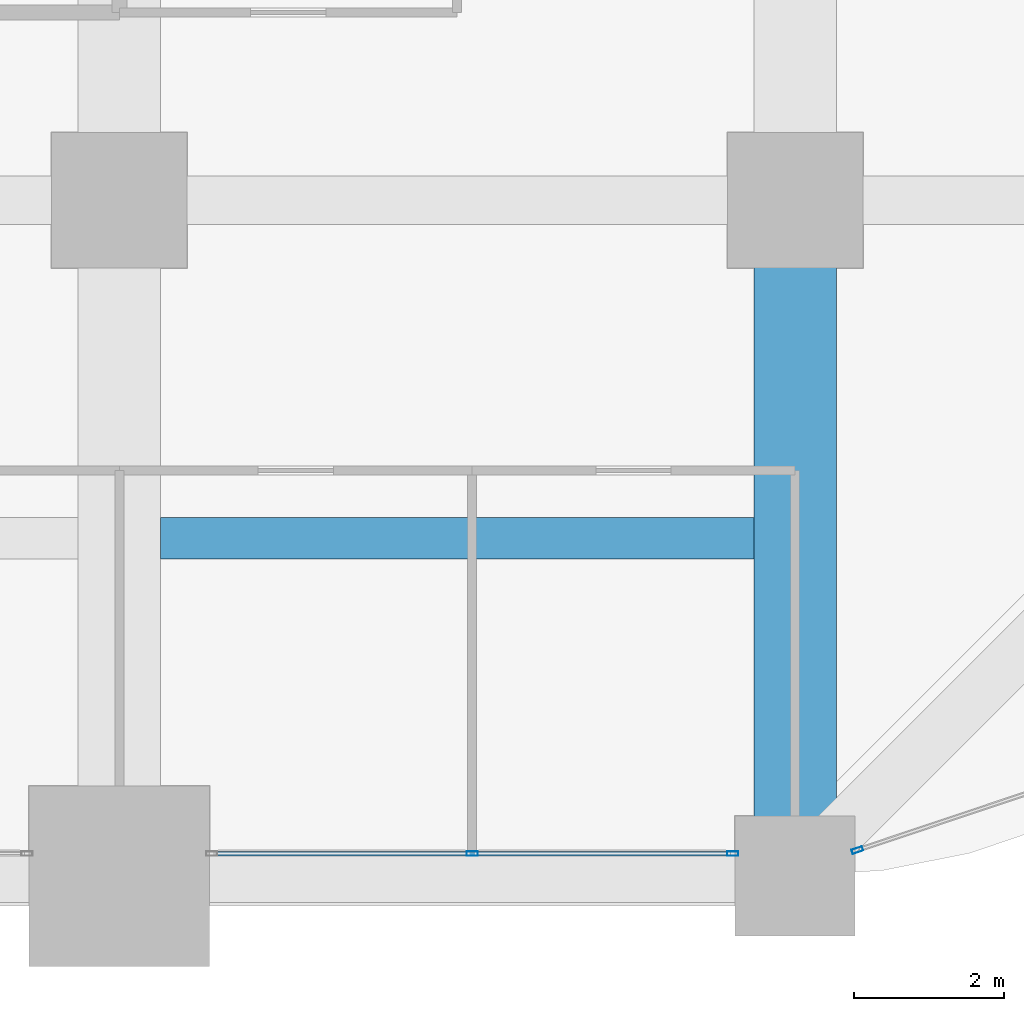
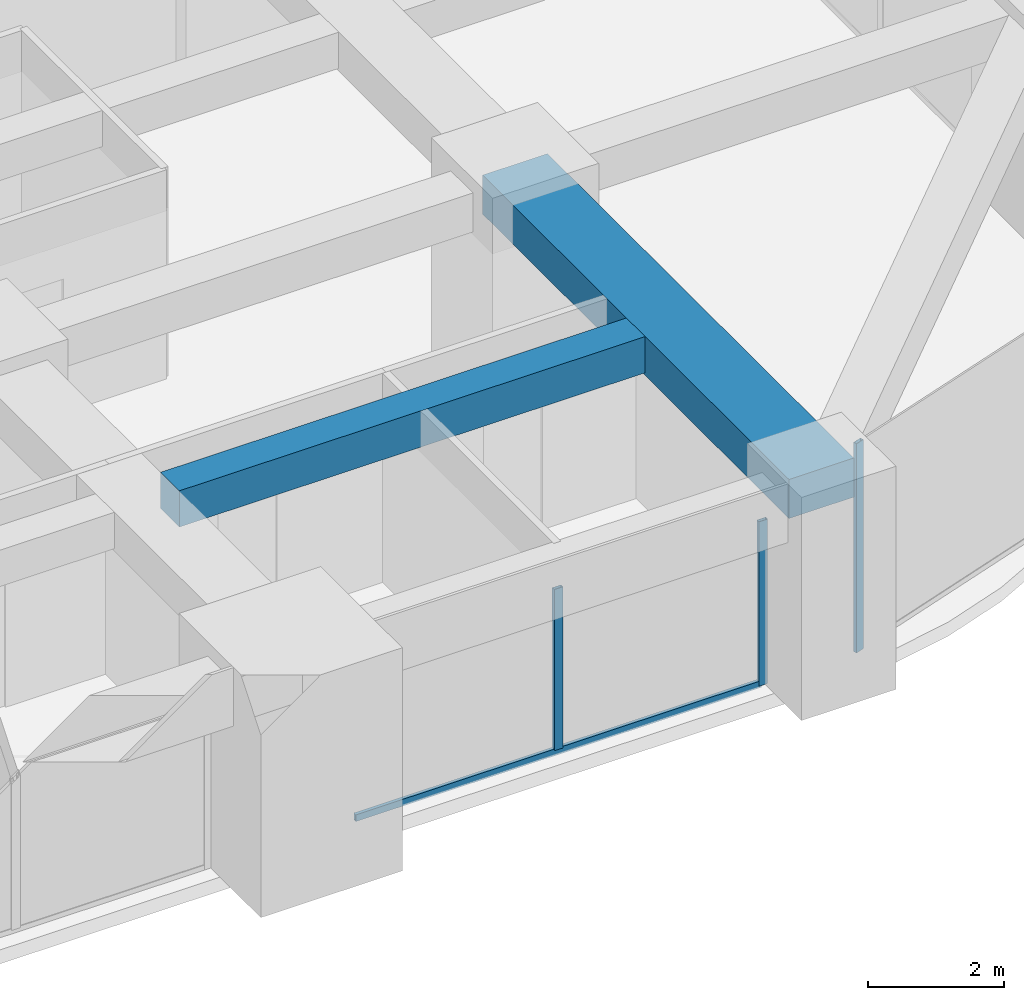
# One storey, part 16 of 40: 4 members, 2 beams, 2 elements without a shape of their own.
"""IFC4 building model written with IfcOpenShell, lengths in metres."""

from ifc_helpers import new_model, si_unit, direction, frame, origin, origin_2d, place, context, subcontext, project, spatial, rectangle, hollow_rectangle, extrude, material, material_profile, profile_set, type_object, element, aggregate, save


model = new_model("IFC4")

# Units and contexts
model_context = context("Model", 3, precision=1e-05, world=origin(), true_north=direction((0.0, 1.0)))
body_context = subcontext(model_context, "Body", "Model", "MODEL_VIEW")
ifc_project = project(units=[si_unit("LENGTHUNIT", "METRE"), si_unit("AREAUNIT", "SQUARE_METRE"), si_unit("VOLUMEUNIT", "CUBIC_METRE"), si_unit("PLANEANGLEUNIT", "RADIAN"), si_unit("MASSUNIT", "GRAM", prefix="KILO")], contexts=[model_context])

# Site, building, storey
site_placement = place(None, origin())
site = spatial("IfcSite", under=ifc_project, at=site_placement, CompositionType="ELEMENT")
building_placement = place(site_placement, origin())
building = spatial("IfcBuilding", under=site, at=building_placement, Name="Zorevar Civic Tower", CompositionType="ELEMENT")
storey_placement = place(building_placement, frame((0.0, 0.0, 129.0)))
storey = spatial("IfcBuildingStorey", under=building, at=storey_placement, Name="L31", CompositionType="ELEMENT", Elevation=129.0)

# Beams
ifc_material_1 = material(Name="Concrete C50/60", Category="concrete")
ifc_material_profile_1 = material_profile(ifc_material_1, rectangle(XDim=1.10009765625, YDim=0.699951171875, at=origin_2d()), Name="RC 1100x700")
ifc_profile_set_1 = profile_set([ifc_material_profile_1], Name="Concrete C50/60")
beam_type_1 = type_object("IfcBeamType", Name="Beam RC 1100x700", PredefinedType="BEAM", material=ifc_profile_set_1)
beam_1_placement = place(storey_placement, frame((54.0, 0.0, 3.39990234375), z_axis=(0.0, 1.0, 0.0), x_axis=(-1.0, 0.0, 0.0)))
element("IfcBeam", 1, at=beam_1_placement, inside=storey, type_object=beam_type_1, Name="Girder L32", PredefinedType="BEAM", context=body_context, shape_type="SweptSolid", body=[
    extrude(rectangle(XDim=1.10009765625, YDim=0.699951171875, at=origin_2d()), origin(), (0.0, 0.0, 1.0), 9.0),
])
ifc_material_2 = material(Name="Concrete C50/60", Category="concrete")
ifc_material_profile_2 = material_profile(ifc_material_2, rectangle(XDim=0.550048828125, YDim=0.64990234375, at=origin_2d()), Name="RC 550x650")
ifc_profile_set_2 = profile_set([ifc_material_profile_2], Name="Concrete C50/60")
beam_type_2 = type_object("IfcBeamType", Name="Beam RC 550x650", PredefinedType="BEAM", material=ifc_profile_set_2)
beam_2_placement = place(storey_placement, frame((45.550048828125, 4.5, 3.425048828125), z_axis=(1.0, 0.0, 0.0), x_axis=(0.0, 1.0, 0.0)))
element("IfcBeam", 2, at=beam_2_placement, inside=storey, type_object=beam_type_2, Name="Secondary beam L32", PredefinedType="BEAM", context=body_context, shape_type="SweptSolid", body=[
    extrude(rectangle(XDim=0.550048828125, YDim=0.64990234375, at=origin_2d()), origin(), (0.0, 0.0, 1.0), 7.89990234375),
])

# Curtain wall, members
ifc_material_3 = material(Name="Dark grey solar-control glass in black aluminium frame", Category="aluminium")
curtain_wall_type = type_object("IfcCurtainWallType", Name="Curtain wall CW3 mid zone", PredefinedType="NOTDEFINED", material=ifc_material_3)
curtain_wall_1_placement = place(storey_placement, origin())
curtain_wall_1 = element("IfcCurtainWall", 3, at=curtain_wall_1_placement, inside=storey, type_object=curtain_wall_type, Name="CW3 L31", PredefinedType="NOTDEFINED")
ifc_material_4 = material(Name="Aluminium, black anodised", Category="aluminium")
ifc_material_profile_3 = material_profile(ifc_material_4, hollow_rectangle(XDim=0.06005859375, YDim=0.14990234375, WallThickness=0.00390625, at=origin_2d()), Name="AL 150x60x4")
ifc_profile_set_3 = profile_set([ifc_material_profile_3], Name="Aluminium, black anodised")
member_type_1 = type_object("IfcMemberType", Name="CW3 mullion AL 150x60x4", PredefinedType="MULLION", material=ifc_profile_set_3)
member_1_placement = place(storey_placement, frame((49.699951171875, 0.300048828125, 0.06005859375), z_axis=(0.0, 0.0, 1.0), x_axis=(0.0, 1.0, 0.0)))
member_1 = element("IfcMember", 4, at=member_1_placement, type_object=member_type_1, Name="CW3 mullion 2", PredefinedType="MULLION", context=body_context, shape_type="SweptSolid", body=[
    extrude(hollow_rectangle(XDim=0.06005859375, YDim=0.14990234375, WallThickness=0.00390625, at=origin_2d()), origin(), (0.0, 0.0, 1.0), 2.889892578125),
])
member_2_placement = place(storey_placement, frame((53.169921875, 0.300048828125, 0.0), z_axis=(0.0, 0.0, 1.0), x_axis=(0.0, 1.0, 0.0)))
member_2 = element("IfcMember", 5, at=member_2_placement, type_object=member_type_1, Name="CW3 mullion 3", PredefinedType="MULLION", context=body_context, shape_type="SweptSolid", body=[
    extrude(hollow_rectangle(XDim=0.06005859375, YDim=0.14990234375, WallThickness=0.00390625, at=origin_2d()), origin(), (0.0, 0.0, 1.0), 2.949951171875),
])

# Curtain wall, member
curtain_wall_2_placement = place(storey_placement, origin())
curtain_wall_2 = element("IfcCurtainWall", 6, at=curtain_wall_2_placement, inside=storey, type_object=curtain_wall_type, Name="CW3 L31", PredefinedType="NOTDEFINED")
member_3_placement = place(storey_placement, frame((54.828369140625, 0.346435546875, 0.0), z_axis=(0.0, 0.0, 1.0), x_axis=(-0.317592669603, 0.948227238701, 0.0)))
member_3 = element("IfcMember", 7, at=member_3_placement, type_object=member_type_1, Name="CW3 mullion 1", PredefinedType="MULLION", context=body_context, shape_type="SweptSolid", body=[
    extrude(hollow_rectangle(XDim=0.06005859375, YDim=0.14990234375, WallThickness=0.00390625, at=origin_2d()), origin(), (0.0, 0.0, 1.0), 3.75),
])
aggregate(curtain_wall_2, [member_3])

# Member
ifc_material_5 = material(Name="Aluminium, black anodised", Category="aluminium")
ifc_material_profile_4 = material_profile(ifc_material_5, hollow_rectangle(XDim=0.06005859375, YDim=0.1201171875, WallThickness=0.0029296875, at=origin_2d()), Name="AL 120x60x3")
ifc_profile_set_4 = profile_set([ifc_material_profile_4], Name="Aluminium, black anodised")
member_type_2 = type_object("IfcMemberType", Name="CW3 transom AL 120x60x3", PredefinedType="USERDEFINED", material=ifc_profile_set_4)
member_4_placement = place(storey_placement, frame((46.260009765625, 0.300048828125, 0.030029296875), z_axis=(1.0, 0.0, 0.0), x_axis=(0.0, 1.0, 0.0)))
member_4 = element("IfcMember", 8, at=member_4_placement, type_object=member_type_2, Name="CW3 sill transom", ObjectType="TRANSOM", PredefinedType="USERDEFINED", context=body_context, shape_type="SweptSolid", body=[
    extrude(hollow_rectangle(XDim=0.06005859375, YDim=0.1201171875, WallThickness=0.0029296875, at=origin_2d()), origin(), (0.0, 0.0, 1.0), 6.8798828125),
])

aggregate(curtain_wall_1, [member_1, member_2, member_4])

save(model, "model.ifc")
